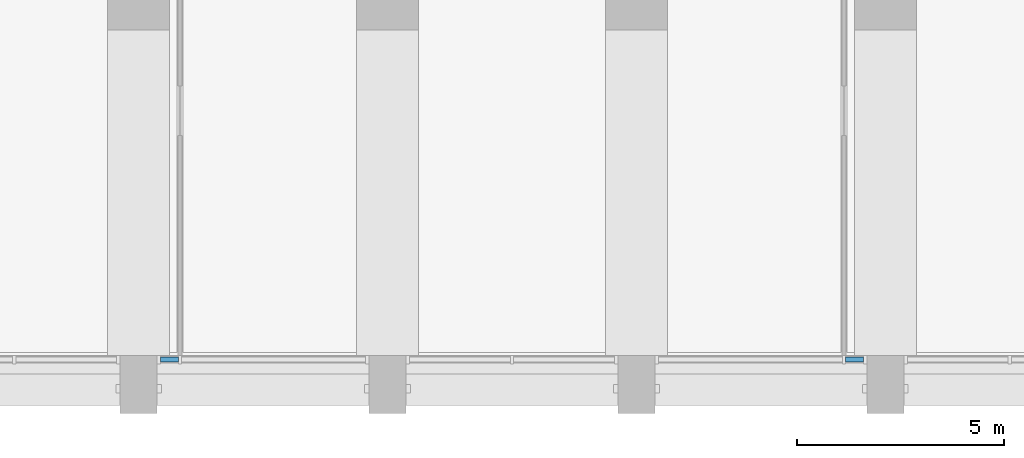
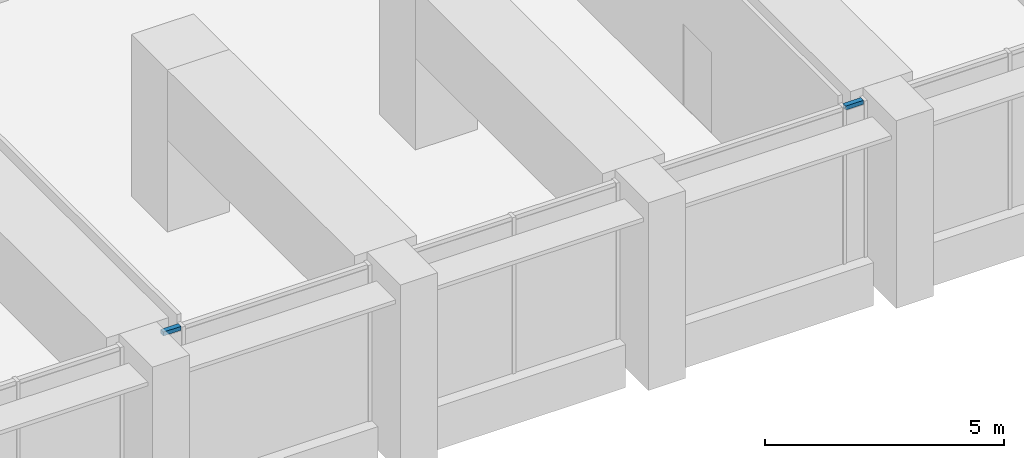
# One storey, part 7 of 18: 2 members, 2 elements without a shape of their own.
"""IFC4 building model written with IfcOpenShell, lengths in metres."""

from ifc_helpers import new_model, si_unit, direction, frame, origin, origin_2d, place, context, subcontext, project, spatial, rectangle, extrude, material, material_profile, profile_set, type_object, element, aggregate, save


model = new_model("IFC4")

# Units and contexts
model_context = context("Model", 3, precision=1e-05, world=origin(), true_north=direction((0.0, 1.0)))
body_context = subcontext(model_context, "Body", "Model", "MODEL_VIEW")
ifc_project = project(units=[si_unit("LENGTHUNIT", "METRE"), si_unit("AREAUNIT", "SQUARE_METRE"), si_unit("VOLUMEUNIT", "CUBIC_METRE"), si_unit("PLANEANGLEUNIT", "RADIAN"), si_unit("MASSUNIT", "GRAM", prefix="KILO")], contexts=[model_context])

# Site, building, storey
site_placement = place(None, origin())
site = spatial("IfcSite", under=ifc_project, at=site_placement, CompositionType="ELEMENT")
building_placement = place(site_placement, origin())
building = spatial("IfcBuilding", under=site, at=building_placement, Name="Calvaro Tower", CompositionType="ELEMENT")
storey_placement = place(building_placement, frame((0.0, 0.0, 90.0)))
storey = spatial("IfcBuildingStorey", under=building, at=storey_placement, Name="L22", CompositionType="ELEMENT", Elevation=90.0)

# Curtain wall, member
ifc_material_1 = material(Name="Anodised aluminium", Category="aluminium")
curtain_wall_type = type_object("IfcCurtainWallType", Name="Louvre wall", PredefinedType="NOTDEFINED", material=ifc_material_1)
curtain_wall_1_placement = place(storey_placement, origin())
curtain_wall_1 = element("IfcCurtainWall", 1, at=curtain_wall_1_placement, inside=storey, type_object=curtain_wall_type, Name="CW8 south louvre wall", PredefinedType="NOTDEFINED")
ifc_material_2 = material(Name="Anodised aluminium", Category="aluminium")
ifc_material_profile = material_profile(ifc_material_2, rectangle(XDim=0.1201171875, YDim=0.10009765625, at=origin_2d()), Name="Transom LV 100 x 120")
ifc_profile_set = profile_set([ifc_material_profile], Name="Anodised aluminium")
member_type = type_object("IfcMemberType", Name="Transom LV 100 x 120", PredefinedType="USERDEFINED", material=ifc_profile_set)
member_1_placement = place(storey_placement, frame((30.530029296875, 1.300048828125, 3.949951171875), z_axis=(1.0, 0.0, 0.0), x_axis=(0.0, 1.0, 0.0)))
member_1 = element("IfcMember", 2, at=member_1_placement, type_object=member_type, Name="CW8 transom 1.1", ObjectType="TRANSOM", PredefinedType="USERDEFINED", context=body_context, shape_type="SweptSolid", body=[
    extrude(rectangle(XDim=0.1201171875, YDim=0.10009765625, at=origin_2d()), origin(), (0.0, 0.0, 1.0), 0.429931640625),
])
aggregate(curtain_wall_1, [member_1])

curtain_wall_2_placement = place(storey_placement, origin())
curtain_wall_2 = element("IfcCurtainWall", 3, at=curtain_wall_2_placement, inside=storey, type_object=curtain_wall_type, Name="CW8 south louvre wall", PredefinedType="NOTDEFINED")
member_2_placement = place(storey_placement, frame((47.0400390625, 1.300048828125, 3.949951171875), z_axis=(1.0, 0.0, 0.0), x_axis=(0.0, 1.0, 0.0)))
member_2 = element("IfcMember", 4, at=member_2_placement, type_object=member_type, Name="CW8 transom 2.1", ObjectType="TRANSOM", PredefinedType="USERDEFINED", context=body_context, shape_type="SweptSolid", body=[
    extrude(rectangle(XDim=0.1201171875, YDim=0.10009765625, at=origin_2d()), origin(), (0.0, 0.0, 1.0), 0.429931640625),
])
aggregate(curtain_wall_2, [member_2])

save(model, "model.ifc")
